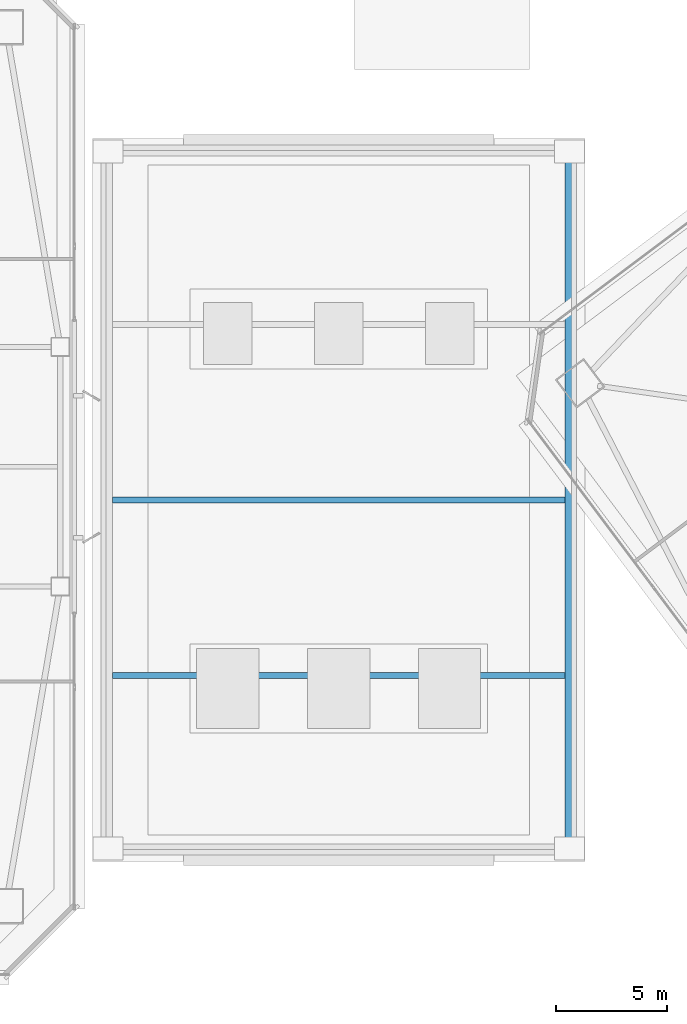
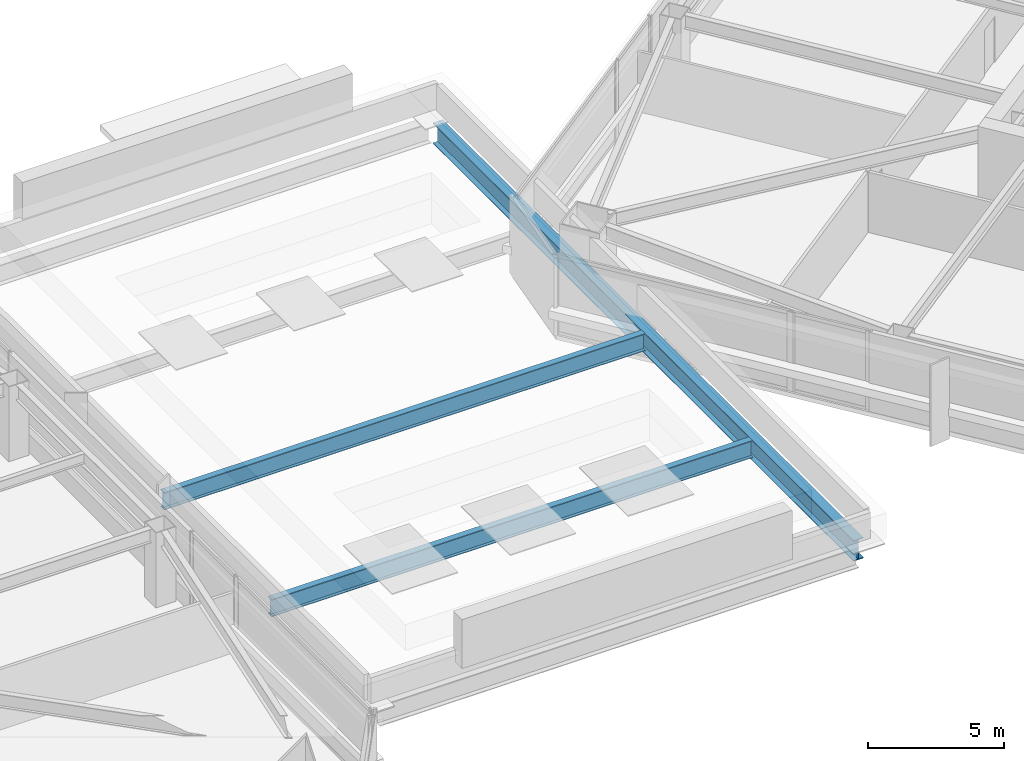
# One storey, part 22 of 62: 3 beams.
"""IFC4 building model written with IfcOpenShell, lengths in metres."""

from ifc_helpers import new_model, si_unit, direction, frame, origin, origin_2d, place, context, subcontext, project, spatial, i_section, extrude, material, material_profile, profile_set, type_object, element, save


model = new_model("IFC4")

# Units and contexts
model_context = context("Model", 3, precision=1e-05, world=origin(), true_north=direction((0.0, 1.0)))
body_context = subcontext(model_context, "Body", "Model", "MODEL_VIEW")
ifc_project = project(units=[si_unit("LENGTHUNIT", "METRE"), si_unit("AREAUNIT", "SQUARE_METRE"), si_unit("VOLUMEUNIT", "CUBIC_METRE"), si_unit("PLANEANGLEUNIT", "RADIAN"), si_unit("MASSUNIT", "GRAM", prefix="KILO")], contexts=[model_context])

# Site, building, storey
site_placement = place(None, origin())
site = spatial("IfcSite", under=ifc_project, at=site_placement, CompositionType="ELEMENT")
building_placement = place(site_placement, origin())
building = spatial("IfcBuilding", under=site, at=building_placement, Name="Tashvorn Skyway Center", CompositionType="ELEMENT")
storey_placement = place(building_placement, frame((0.0, 0.0, 28.14990234375)))
storey = spatial("IfcBuildingStorey", under=building, at=storey_placement, Name="L06", CompositionType="ELEMENT", Elevation=28.14990234375)

# Beams
ifc_material_1 = material(Name="Steel ASTM A992 Grade 50", Category="steel")
ifc_material_profile_1 = material_profile(ifc_material_1, i_section(OverallWidth=0.26708984375, OverallDepth=0.779052734375, WebThickness=0.0166015625, FlangeThickness=0.030029296875, at=origin_2d()), Name="W30X148")
ifc_profile_set_1 = profile_set([ifc_material_profile_1], Name="Steel ASTM A992 Grade 50")
beam_type_1 = type_object("IfcBeamType", Name="BM-BEAM-W30X148", PredefinedType="BEAM", material=ifc_profile_set_1)
for number, where, z_axis, x_axis, name in (
    (1, (66.60009765625, 22.60009765625, 1.260498046875), (1.0, 0.0, 0.0), (0.0, 1.0, 0.0), "Concourse Monitor Rafter 1"),
    (2, (66.60009765625, 30.5, 1.260498046875), (1.0, 0.0, 0.0), (0.0, 1.0, 0.0), "Concourse Monitor Rafter 2"),
):
    element("IfcBeam", number, at=place(storey_placement, frame(where, z_axis=z_axis, x_axis=x_axis)), inside=storey, type_object=beam_type_1, Name=name, PredefinedType="BEAM", context=body_context, shape_type="SweptSolid", body=[
        extrude(i_section(OverallWidth=0.26708984375, OverallDepth=0.779052734375, WebThickness=0.0166015625, FlangeThickness=0.030029296875, at=origin_2d()), origin(), (0.0, 0.0, 1.0), 20.39990234375),
    ])
ifc_material_2 = material(Name="Steel ASTM A913 Grade 65", Category="steel")
ifc_material_profile_2 = material_profile(ifc_material_2, i_section(OverallWidth=0.4189453125, OverallDepth=0.927001953125, WebThickness=0.019287109375, FlangeThickness=0.031982421875, at=origin_2d()), Name="W36X231")
ifc_profile_set_2 = profile_set([ifc_material_profile_2], Name="Steel ASTM A913 Grade 65")
beam_type_2 = type_object("IfcBeamType", Name="BM-BEAM-W36X231", PredefinedType="BEAM", material=ifc_profile_set_2)
beam_placement = place(storey_placement, frame((87.199951171875, 15.050048828125, 1.1865234375), z_axis=(0.0, 1.0, 0.0), x_axis=(-1.0, 0.0, 0.0)))
element("IfcBeam", 3, at=beam_placement, inside=storey, type_object=beam_type_2, Name="Concourse Monitor Longitudinal Girder 2", PredefinedType="BEAM", context=body_context, shape_type="SweptSolid", body=[
    extrude(i_section(OverallWidth=0.4189453125, OverallDepth=0.927001953125, WebThickness=0.019287109375, FlangeThickness=0.031982421875, at=origin_2d()), origin(), (0.0, 0.0, 1.0), 30.89990234375),
])

save(model, "model.ifc")
